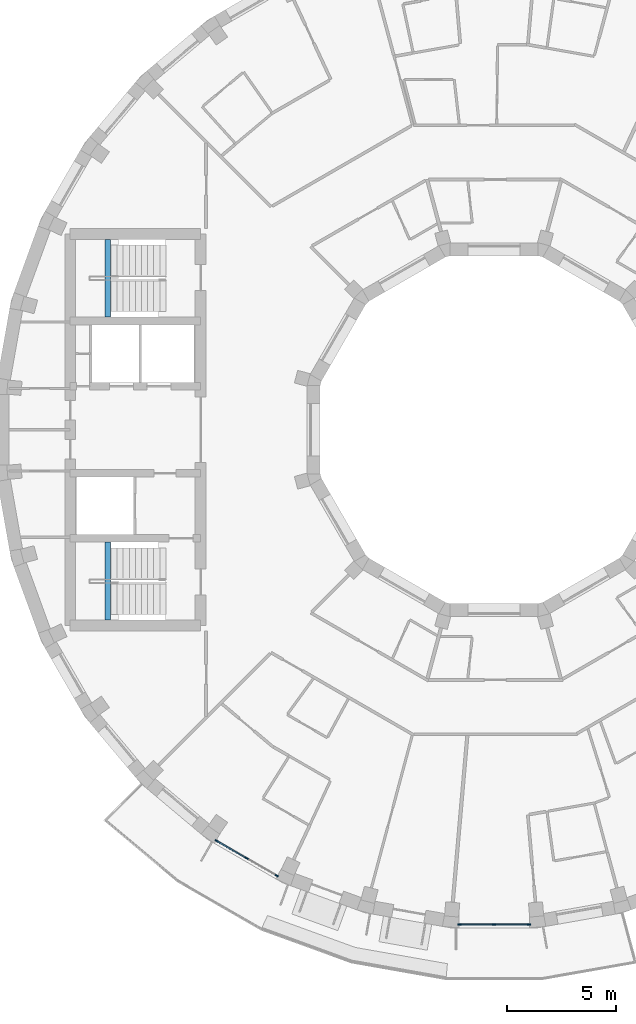
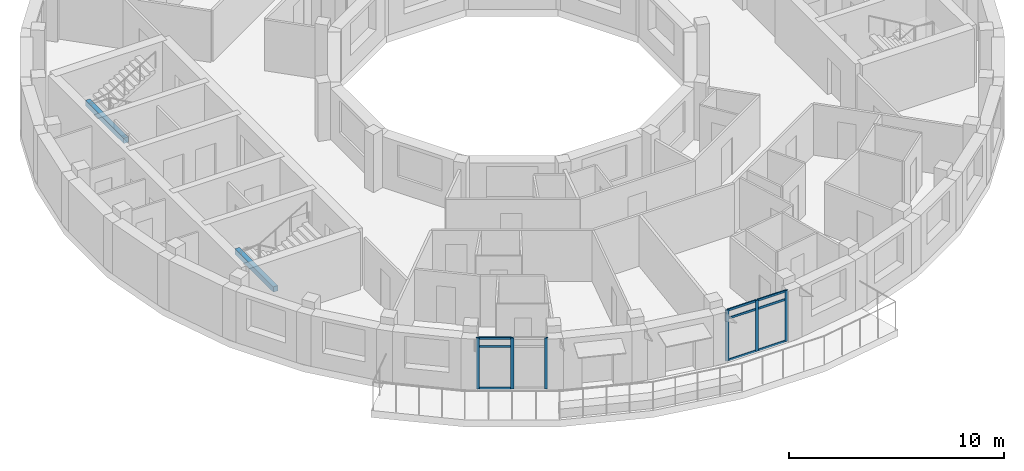
# One storey, part 2 of 12: 15 members, 2 beams, 2 elements without a shape of their own.
"""IFC4 building model written with IfcOpenShell, lengths in metres."""

from ifc_helpers import new_model, si_unit, direction, frame, origin, origin_2d, place, context, subcontext, project, spatial, rectangle, extrude, material, layer, layer_set, material_profile, profile_set, type_object, element, aggregate, save


model = new_model("IFC4")

# Units and contexts
model_context = context("Model", 3, precision=1e-05, world=origin(), true_north=direction((0.0, 1.0)))
body_context = subcontext(model_context, "Body", "Model", "MODEL_VIEW")
ifc_project = project(units=[si_unit("LENGTHUNIT", "METRE"), si_unit("AREAUNIT", "SQUARE_METRE"), si_unit("VOLUMEUNIT", "CUBIC_METRE"), si_unit("PLANEANGLEUNIT", "RADIAN"), si_unit("MASSUNIT", "GRAM", prefix="KILO")], contexts=[model_context])

# Site, building, storey
site_placement = place(None, origin())
site = spatial("IfcSite", under=ifc_project, at=site_placement, CompositionType="ELEMENT")
building_placement = place(site_placement, origin())
building = spatial("IfcBuilding", under=site, at=building_placement, Name="Saqina Gate Tower", CompositionType="ELEMENT")
storey_placement = place(building_placement, frame((0.0, 0.0, 269.300048828125)))
storey = spatial("IfcBuildingStorey", under=building, at=storey_placement, Name="L77", CompositionType="ELEMENT", Elevation=269.300048828125)

# Curtain wall, members
ifc_material_1 = material(Name="Aluminium glazing", Category="aluminium")
ifc_layer = layer(ifc_material_1, 0.159912109375)
ifc_layer_set = layer_set([ifc_layer], Name="CWT-4")
curtain_wall_type = type_object("IfcCurtainWallType", Name="CWT-4", PredefinedType="NOTDEFINED", material=ifc_layer_set)
curtain_wall_1_placement = place(storey_placement, origin())
curtain_wall_1 = element("IfcCurtainWall", 1, at=curtain_wall_1_placement, inside=storey, type_object=curtain_wall_type, Name="Terrace lounge glazing facet 24", PredefinedType="NOTDEFINED")
ifc_material_2 = material(Name="Aluminium", Category="aluminium")
ifc_material_profile_1 = material_profile(ifc_material_2, rectangle(XDim=0.06005859375, YDim=0.159912109375, at=origin_2d()), Name="Aluminium 60x160")
ifc_profile_set_1 = profile_set([ifc_material_profile_1], Name="Aluminium")
member_type_1 = type_object("IfcMemberType", Name="CWT-4M", PredefinedType="MULLION", material=ifc_profile_set_1)
member_1_placement = place(storey_placement, frame((-12.763427734375, -18.9150390625, 0.0), z_axis=(0.0, 0.0, 1.0), x_axis=(0.499982449212, 0.8660355365, 0.0)))
member_1 = element("IfcMember", 2, at=member_1_placement, type_object=member_type_1, Name="CW4-24 mullion 1", PredefinedType="MULLION", context=body_context, shape_type="SweptSolid", body=[
    extrude(rectangle(XDim=0.06005859375, YDim=0.159912109375, at=origin_2d()), origin(), (0.0, 0.0, 1.0), 2.89990234375),
])
member_2_placement = place(storey_placement, frame((-11.38134765625, -19.712890625, 0.0), z_axis=(0.0, 0.0, 1.0), x_axis=(0.499982449212, 0.8660355365, 0.0)))
member_2 = element("IfcMember", 3, at=member_2_placement, type_object=member_type_1, Name="CW4-24 mullion 2", PredefinedType="MULLION", context=body_context, shape_type="SweptSolid", body=[
    extrude(rectangle(XDim=0.06005859375, YDim=0.159912109375, at=origin_2d()), origin(), (0.0, 0.0, 1.0), 2.89990234375),
])
member_3_placement = place(storey_placement, frame((-9.999267578125, -20.5107421875, 0.0), z_axis=(0.0, 0.0, 1.0), x_axis=(0.499982449212, 0.8660355365, 0.0)))
member_3 = element("IfcMember", 4, at=member_3_placement, type_object=member_type_1, Name="CW4-24 mullion 3", PredefinedType="MULLION", context=body_context, shape_type="SweptSolid", body=[
    extrude(rectangle(XDim=0.06005859375, YDim=0.159912109375, at=origin_2d()), origin(), (0.0, 0.0, 1.0), 2.89990234375),
])

curtain_wall_2_placement = place(storey_placement, origin())
curtain_wall_2 = element("IfcCurtainWall", 5, at=curtain_wall_2_placement, inside=storey, type_object=curtain_wall_type, Name="Terrace lounge glazing facet 27", PredefinedType="NOTDEFINED")
member_4_placement = place(storey_placement, frame((-1.595703125, -22.762451171875, 0.0), z_axis=(0.0, 0.0, 1.0), x_axis=(0.0, 1.0, 0.0)))
member_4 = element("IfcMember", 6, at=member_4_placement, type_object=member_type_1, Name="CW4-27 mullion 1", PredefinedType="MULLION", context=body_context, shape_type="SweptSolid", body=[
    extrude(rectangle(XDim=0.06005859375, YDim=0.159912109375, at=origin_2d()), origin(), (0.0, 0.0, 1.0), 2.89990234375),
])
member_5_placement = place(storey_placement, frame((0.0, -22.762451171875, 0.0), z_axis=(0.0, 0.0, 1.0), x_axis=(0.0, 1.0, 0.0)))
member_5 = element("IfcMember", 7, at=member_5_placement, type_object=member_type_1, Name="CW4-27 mullion 2", PredefinedType="MULLION", context=body_context, shape_type="SweptSolid", body=[
    extrude(rectangle(XDim=0.06005859375, YDim=0.159912109375, at=origin_2d()), origin(), (0.0, 0.0, 1.0), 2.89990234375),
])
member_6_placement = place(storey_placement, frame((1.595703125, -22.762451171875, 0.0), z_axis=(0.0, 0.0, 1.0), x_axis=(0.0, 1.0, 0.0)))
member_6 = element("IfcMember", 8, at=member_6_placement, type_object=member_type_1, Name="CW4-27 mullion 3", PredefinedType="MULLION", context=body_context, shape_type="SweptSolid", body=[
    extrude(rectangle(XDim=0.06005859375, YDim=0.159912109375, at=origin_2d()), origin(), (0.0, 0.0, 1.0), 2.89990234375),
])

# Member
ifc_material_3 = material(Name="Aluminium", Category="aluminium")
ifc_material_profile_2 = material_profile(ifc_material_3, rectangle(XDim=0.06005859375, YDim=0.1201171875, at=origin_2d()), Name="Aluminium 60x120")
ifc_profile_set_2 = profile_set([ifc_material_profile_2], Name="Aluminium")
member_type_2 = type_object("IfcMemberType", Name="CWT-4T", PredefinedType="USERDEFINED", material=ifc_profile_set_2)
member_7_placement = place(storey_placement, frame((-12.7373046875, -18.929931640625, 0.030029296875), z_axis=(0.865984396932, -0.500071019227, 0.0), x_axis=(0.500071019227, 0.865984396932, 0.0)))
member_7 = element("IfcMember", 9, at=member_7_placement, type_object=member_type_2, Name="CW4-24 transom 1.1", ObjectType="TRANSOM", PredefinedType="USERDEFINED", context=body_context, shape_type="SweptSolid", body=[
    extrude(rectangle(XDim=0.06005859375, YDim=0.1201171875, at=origin_2d()), origin(), (0.0, 0.0, 1.0), 1.535888671875),
])

member_8_placement = place(storey_placement, frame((-12.7373046875, -18.929931640625, 2.39990234375), z_axis=(0.865984396932, -0.500071019227, 0.0), x_axis=(0.500071019227, 0.865984396932, 0.0)))
member_8 = element("IfcMember", 10, at=member_8_placement, type_object=member_type_2, Name="CW4-24 transom 1.2", ObjectType="TRANSOM", PredefinedType="USERDEFINED", context=body_context, shape_type="SweptSolid", body=[
    extrude(rectangle(XDim=0.06005859375, YDim=0.1201171875, at=origin_2d()), origin(), (0.0, 0.0, 1.0), 1.535888671875),
])

member_9_placement = place(storey_placement, frame((-12.7373046875, -18.929931640625, 2.869873046875), z_axis=(0.865984396932, -0.500071019227, 0.0), x_axis=(0.500071019227, 0.865984396932, 0.0)))
member_9 = element("IfcMember", 11, at=member_9_placement, type_object=member_type_2, Name="CW4-24 transom 1.3", ObjectType="TRANSOM", PredefinedType="USERDEFINED", context=body_context, shape_type="SweptSolid", body=[
    extrude(rectangle(XDim=0.06005859375, YDim=0.1201171875, at=origin_2d()), origin(), (0.0, 0.0, 1.0), 1.535888671875),
])

aggregate(curtain_wall_1, [member_1, member_2, member_3, member_7, member_8, member_9])

member_10_placement = place(storey_placement, frame((-1.56591796875, -22.762451171875, 0.030029296875), z_axis=(1.0, 0.0, 0.0), x_axis=(0.0, 1.0, 0.0)))
member_10 = element("IfcMember", 12, at=member_10_placement, type_object=member_type_2, Name="CW4-27 transom 1.1", ObjectType="TRANSOM", PredefinedType="USERDEFINED", context=body_context, shape_type="SweptSolid", body=[
    extrude(rectangle(XDim=0.06005859375, YDim=0.1201171875, at=origin_2d()), origin(), (0.0, 0.0, 1.0), 1.535888671875),
])

member_11_placement = place(storey_placement, frame((-1.56591796875, -22.762451171875, 2.39990234375), z_axis=(1.0, 0.0, 0.0), x_axis=(0.0, 1.0, 0.0)))
member_11 = element("IfcMember", 13, at=member_11_placement, type_object=member_type_2, Name="CW4-27 transom 1.2", ObjectType="TRANSOM", PredefinedType="USERDEFINED", context=body_context, shape_type="SweptSolid", body=[
    extrude(rectangle(XDim=0.06005859375, YDim=0.1201171875, at=origin_2d()), origin(), (0.0, 0.0, 1.0), 1.535888671875),
])

member_12_placement = place(storey_placement, frame((-1.56591796875, -22.762451171875, 2.869873046875), z_axis=(1.0, 0.0, 0.0), x_axis=(0.0, 1.0, 0.0)))
member_12 = element("IfcMember", 14, at=member_12_placement, type_object=member_type_2, Name="CW4-27 transom 1.3", ObjectType="TRANSOM", PredefinedType="USERDEFINED", context=body_context, shape_type="SweptSolid", body=[
    extrude(rectangle(XDim=0.06005859375, YDim=0.1201171875, at=origin_2d()), origin(), (0.0, 0.0, 1.0), 1.535888671875),
])

member_13_placement = place(storey_placement, frame((0.030029296875, -22.762451171875, 0.030029296875), z_axis=(1.0, 0.0, 0.0), x_axis=(0.0, 1.0, 0.0)))
member_13 = element("IfcMember", 15, at=member_13_placement, type_object=member_type_2, Name="CW4-27 transom 2.1", ObjectType="TRANSOM", PredefinedType="USERDEFINED", context=body_context, shape_type="SweptSolid", body=[
    extrude(rectangle(XDim=0.06005859375, YDim=0.1201171875, at=origin_2d()), origin(), (0.0, 0.0, 1.0), 1.535888671875),
])

member_14_placement = place(storey_placement, frame((0.030029296875, -22.762451171875, 2.39990234375), z_axis=(1.0, 0.0, 0.0), x_axis=(0.0, 1.0, 0.0)))
member_14 = element("IfcMember", 16, at=member_14_placement, type_object=member_type_2, Name="CW4-27 transom 2.2", ObjectType="TRANSOM", PredefinedType="USERDEFINED", context=body_context, shape_type="SweptSolid", body=[
    extrude(rectangle(XDim=0.06005859375, YDim=0.1201171875, at=origin_2d()), origin(), (0.0, 0.0, 1.0), 1.535888671875),
])

member_15_placement = place(storey_placement, frame((0.030029296875, -22.762451171875, 2.869873046875), z_axis=(1.0, 0.0, 0.0), x_axis=(0.0, 1.0, 0.0)))
member_15 = element("IfcMember", 17, at=member_15_placement, type_object=member_type_2, Name="CW4-27 transom 2.3", ObjectType="TRANSOM", PredefinedType="USERDEFINED", context=body_context, shape_type="SweptSolid", body=[
    extrude(rectangle(XDim=0.06005859375, YDim=0.1201171875, at=origin_2d()), origin(), (0.0, 0.0, 1.0), 1.535888671875),
])

aggregate(curtain_wall_2, [member_4, member_5, member_6, member_10, member_11, member_12, member_13, member_14, member_15])

# Beams
ifc_material_4 = material(Name="Concrete C40/50", Category="concrete")
ifc_material_profile_3 = material_profile(ifc_material_4, rectangle(XDim=0.25, YDim=0.300048828125, at=origin_2d()), Name="STAIR LANDING BEAM")
ifc_profile_set_3 = profile_set([ifc_material_profile_3], Name="Concrete C40/50")
beam_type = type_object("IfcBeamType", Name="STAIR LANDING BEAM", PredefinedType="BEAM", material=ifc_profile_set_3)
for number, where, z_axis, x_axis, name in (
    (18, (-17.77001953125, 5.175048828125, 1.25), (0.0, 1.0, 0.0), (-1.0, 0.0, 0.0), "EXIT STAIR 3 LANDING BEAM"),
    (19, (-17.77001953125, -8.75, 1.25), (0.0, 1.0, 0.0), (-1.0, 0.0, 0.0), "EXIT STAIR 4 LANDING BEAM"),
):
    element("IfcBeam", number, at=place(storey_placement, frame(where, z_axis=z_axis, x_axis=x_axis)), inside=storey, type_object=beam_type, Name=name, PredefinedType="BEAM", context=body_context, shape_type="SweptSolid", body=[
        extrude(rectangle(XDim=0.25, YDim=0.300048828125, at=origin_2d()), origin(), (0.0, 0.0, 1.0), 3.574951171875),
    ])

save(model, "model.ifc")
